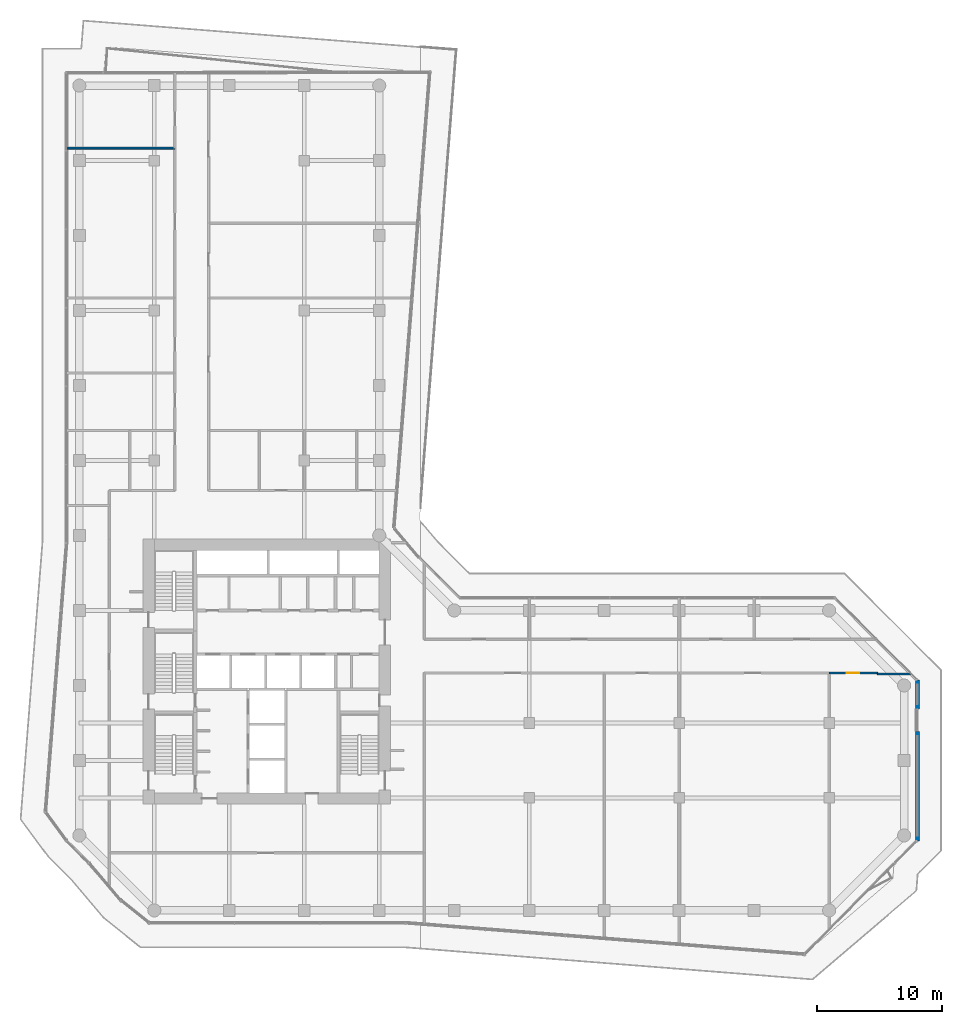
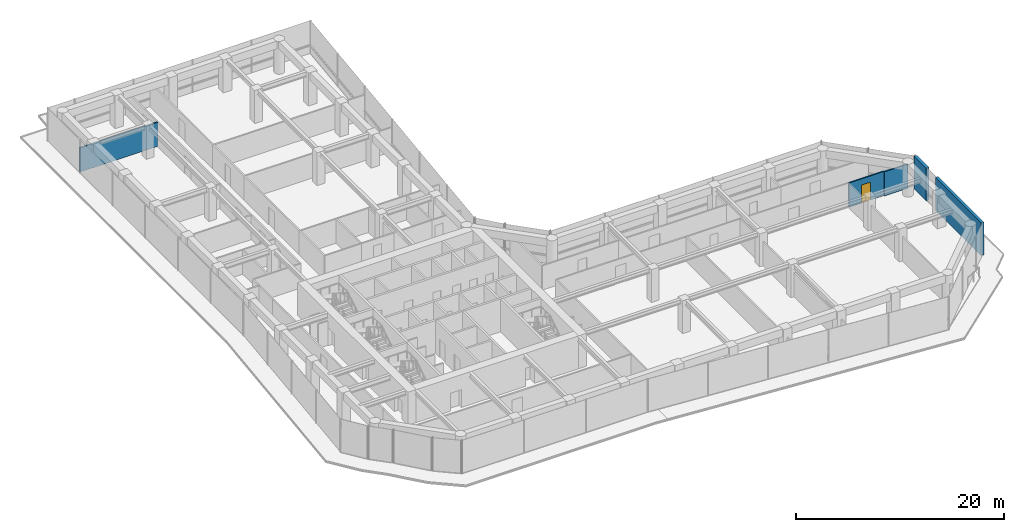
# One storey, part 26 of 29: 5 walls, 1 door, 1 opening.
"""IFC4 building model written with IfcOpenShell, lengths in metres."""

from ifc_helpers import new_model, si_unit, direction, frame, frame_2d, origin, place, context, subcontext, project, spatial, rectangle, extrude, material, layer, layer_set, type_object, element, fill, save


model = new_model("IFC4")

# Units and contexts
model_context = context("Model", 3, precision=1e-05, world=origin(), true_north=direction((0.0, 1.0)))
body_context = subcontext(model_context, "Body", "Model", "MODEL_VIEW")
ifc_project = project(units=[si_unit("LENGTHUNIT", "METRE"), si_unit("AREAUNIT", "SQUARE_METRE"), si_unit("VOLUMEUNIT", "CUBIC_METRE"), si_unit("PLANEANGLEUNIT", "RADIAN"), si_unit("MASSUNIT", "GRAM", prefix="KILO")], contexts=[model_context])

# Site, building, storey
site_placement = place(None, origin())
site = spatial("IfcSite", under=ifc_project, at=site_placement, CompositionType="ELEMENT")
building_placement = place(site_placement, origin())
building = spatial("IfcBuilding", under=site, at=building_placement, Name="Welwitschia Terrace Campus", CompositionType="ELEMENT")
storey_placement = place(building_placement, frame((0.0, 0.0, 33.199951171875)))
storey = spatial("IfcBuildingStorey", under=building, at=storey_placement, Name="L07", CompositionType="ELEMENT", Elevation=33.199951171875)

# Walls
ifc_material_1 = material(Name="Gypsum board on steel studs", Category="steel")
ifc_layer_1 = layer(ifc_material_1, 0.14990234375)
ifc_layer_set_1 = layer_set([ifc_layer_1], Name="Gypsum board on steel studs")
wall_type_1 = type_object("IfcWallType", Name="Corridor partition 150 EI 30", PredefinedType="PARTITIONING", material=ifc_layer_set_1)
wall_1_placement = place(storey_placement, frame((-1.010009765625, 57.0, 0.0), z_axis=(0.0, 0.0, 1.0), x_axis=(1.0, 0.0, 0.0)))
element("IfcWall", 1, at=wall_1_placement, inside=storey, type_object=wall_type_1, Name="Partition", PredefinedType="PARTITIONING", context=body_context, shape_type="SweptSolid", body=[
    extrude(rectangle(XDim=8.659912109375, YDim=0.14990234375, at=frame_2d((4.330078125, 0.0))), origin(), (0.0, 0.0, 1.0), 2.830078125),
])
wall_2_placement = place(storey_placement, frame((63.8701171875, 14.919921875, 0.0), z_axis=(0.0, 0.0, 1.0), x_axis=(1.0, 0.0, 0.0)))
element("IfcWall", 2, at=wall_2_placement, inside=storey, type_object=wall_type_1, Name="Partition", PredefinedType="PARTITIONING", context=body_context, shape_type="SweptSolid", body=[
    extrude(rectangle(XDim=2.621337890625, YDim=0.14990234375, at=frame_2d((1.310546875, 0.0))), origin(), (0.0, 0.0, 1.0), 2.830078125),
])

# Wall, opening, door
wall_3_placement = place(storey_placement, frame((63.89990234375, 15.0, 0.0), z_axis=(0.0, 0.0, 1.0), x_axis=(-1.0, 0.0, 0.0)))
wall_3 = element("IfcWall", 3, at=wall_3_placement, inside=storey, type_object=wall_type_1, Name="Partition", PredefinedType="PARTITIONING", context=body_context, shape_type="SweptSolid", body=[
    extrude(rectangle(XDim=3.89990234375, YDim=0.14990234375, at=frame_2d((1.949951171875, 0.0))), origin(), (0.0, 0.0, 1.0), 2.830078125),
])
opening_placement = place(wall_3_placement, frame((1.5, 0.0, 0.0)))
opening = element("IfcOpeningElement", 4, at=opening_placement, cuts=wall_3, Name="Opening DI10", PredefinedType="OPENING", context=body_context, shape_type="SweptSolid", body=[
    extrude(rectangle(XDim=1.0, YDim=2.10009765625, at=frame_2d((0.5, 1.050048828125))), frame((0.0, 0.0849609375, 0.0), z_axis=(0.0, -1.0, 0.0), x_axis=(1.0, 0.0, 0.0)), (0.0, 0.0, 1.0), 0.169921875),
])
ifc_material_2 = material(Name="Timber veneered door", Category="wood")
door_type = type_object("IfcDoorType", Name="Interior door DI10", OperationType="NOTDEFINED", PredefinedType="DOOR", material=ifc_material_2)
door_placement = place(opening_placement, origin())
door = element("IfcDoor", 5, at=door_placement, inside=storey, type_object=door_type, Name="Door L07 187", OperationType="SINGLE_SWING_RIGHT", OverallHeight=2.10009765625, OverallWidth=1.0, PredefinedType="DOOR", context=body_context, shape_type="SweptSolid", body=[
    extrude(rectangle(XDim=1.0, YDim=2.10009765625, at=frame_2d((0.5, 1.050048828125))), frame((0.0, 0.02490234375, 0.0), z_axis=(0.0, -1.0, 0.0), x_axis=(1.0, 0.0, 0.0)), (0.0, 0.0, 1.0), 0.050048828125),
])
fill(opening, door)

# Walls
ifc_material_3 = material(Name="Concrete C40/50", Category="concrete")
ifc_layer_2 = layer(ifc_material_3, 0.300048828125)
ifc_layer_set_2 = layer_set([ifc_layer_2], Name="Concrete C40/50")
wall_type_2 = type_object("IfcWallType", Name="Mass wall 300", PredefinedType="SOLIDWALL", material=ifc_layer_set_2)
wall_4_placement = place(storey_placement, frame((67.078857421875, 1.561767578125, 0.0), z_axis=(0.0, 0.0, 1.0), x_axis=(0.0, 1.0, 0.0)))
element("IfcWall", 6, at=wall_4_placement, inside=storey, type_object=wall_type_2, Name="Mass wall L07.9.0", PredefinedType="SOLIDWALL", context=body_context, shape_type="SweptSolid", body=[
    extrude(rectangle(XDim=8.75732421875, YDim=0.300048828125, at=frame_2d((4.378662109375, 0.0))), origin(), (0.0, 0.0, 1.0), 3.85009765625),
])
wall_5_placement = place(storey_placement, frame((67.078857421875, 12.119140625, 0.0), z_axis=(0.0, 0.0, 1.0), x_axis=(0.0, 1.0, 0.0)))
element("IfcWall", 7, at=wall_5_placement, inside=storey, type_object=wall_type_2, Name="Mass wall L07.9.1", PredefinedType="SOLIDWALL", context=body_context, shape_type="SweptSolid", body=[
    extrude(rectangle(XDim=2.319091796875, YDim=0.300048828125, at=frame_2d((1.15966796875, 0.0))), origin(), (0.0, 0.0, 1.0), 3.85009765625),
])

save(model, "model.ifc")
